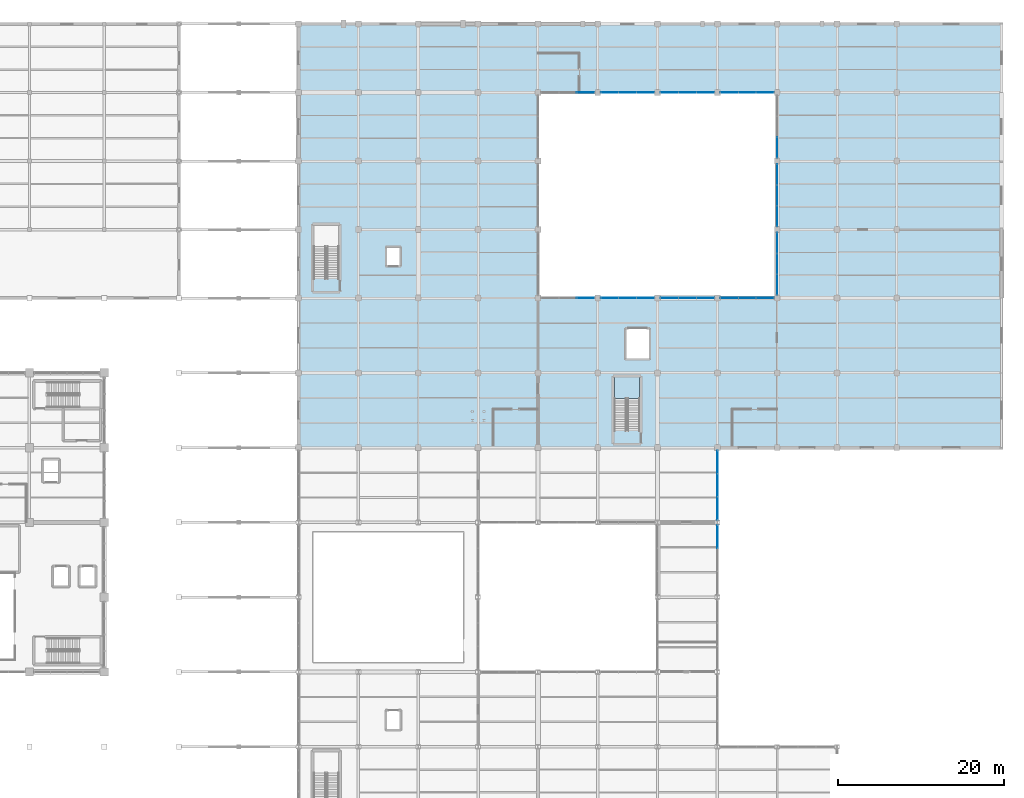
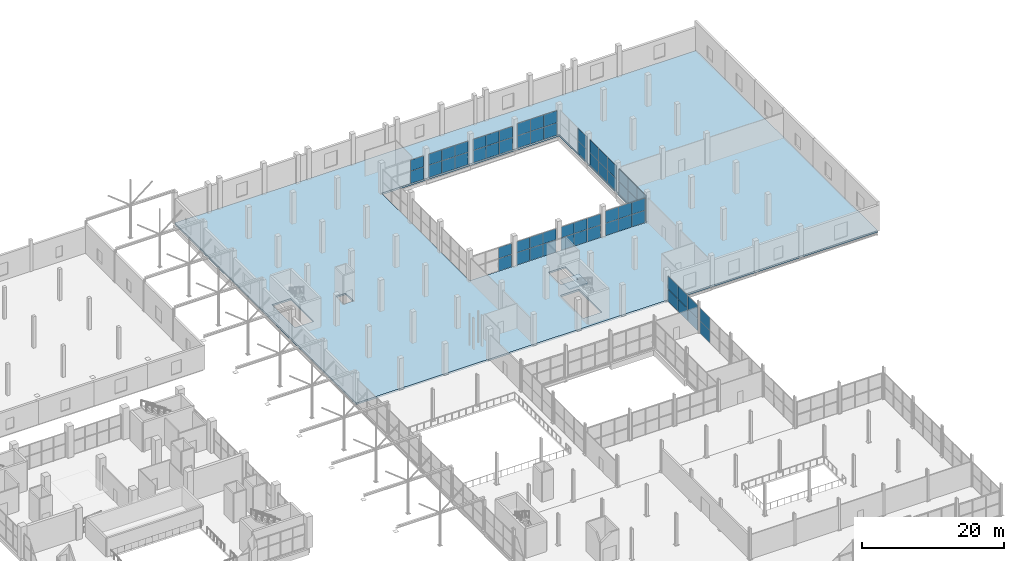
# One storey, part 119 of 147: 62 plates, 2 slabs, 14 elements without a shape of their own.
"""IFC4 building model written with IfcOpenShell, lengths in metres."""

from ifc_helpers import new_model, si_unit, direction, frame, origin, origin_2d, place, context, subcontext, project, spatial, polyline, rectangle, outline, extrude, material, layer, layer_set, type_object, element, aggregate, save


model = new_model("IFC4")

# Units and contexts
model_context = context("Model", 3, precision=1e-05, world=origin(), true_north=direction((0.0, 1.0)))
body_context = subcontext(model_context, "Body", "Model", "MODEL_VIEW")
ifc_project = project(units=[si_unit("LENGTHUNIT", "METRE"), si_unit("AREAUNIT", "SQUARE_METRE"), si_unit("VOLUMEUNIT", "CUBIC_METRE"), si_unit("PLANEANGLEUNIT", "RADIAN"), si_unit("MASSUNIT", "GRAM", prefix="KILO")], contexts=[model_context])

# Site, building, storey
site_placement = place(None, origin())
site = spatial("IfcSite", under=ifc_project, at=site_placement, CompositionType="ELEMENT")
building_placement = place(site_placement, origin())
building = spatial("IfcBuilding", under=site, at=building_placement, Name="Sundgate Opera House", CompositionType="ELEMENT")
storey_placement = place(building_placement, frame((0.0, 0.0, 6.0)))
storey = spatial("IfcBuildingStorey", under=building, at=storey_placement, Name="L01", CompositionType="ELEMENT", Elevation=6.0)

# Curtain wall, plates
ifc_material_1 = material(Name="Anodized aluminium and low-iron glass", Category="aluminium")
ifc_layer_1 = layer(ifc_material_1, 0.159912109375)
ifc_layer_set_1 = layer_set([ifc_layer_1], Name="Anodized aluminium and low-iron glass")
curtain_wall_type = type_object("IfcCurtainWallType", Name="CW-STUDIO-DARK", PredefinedType="NOTDEFINED", material=ifc_layer_set_1)
curtain_wall_1_placement = place(storey_placement, origin())
curtain_wall_1 = element("IfcCurtainWall", 1, at=curtain_wall_1_placement, inside=storey, type_object=curtain_wall_type, Name="L01 Curtain Wall CW094", PredefinedType="NOTDEFINED")
ifc_material_2 = material(Name="Low-iron triple acoustic glazing", Category="glass")
ifc_layer_2 = layer(ifc_material_2, 0.035888671875)
ifc_layer_set_2 = layer_set([ifc_layer_2], Name="Low-iron triple acoustic glazing")
plate_type_1 = type_object("IfcPlateType", Name="CWP-CLEAR-36", PredefinedType="CURTAIN_PANEL", material=ifc_layer_set_2)
plate_1_placement = place(storey_placement, frame((129.949951171875, 87.0, 0.02001953125), z_axis=(0.0, 0.0, 1.0), x_axis=(1.0, 0.0, 0.0)))
plate_1 = element("IfcPlate", 2, at=plate_1_placement, type_object=plate_type_1, Name="CW094 Panel 5", PredefinedType="CURTAIN_PANEL", context=body_context, shape_type="SweptSolid", body=[
    extrude(rectangle(XDim=2.110107421875, YDim=0.035888671875, at=origin_2d()), origin(), (0.0, 0.0, 1.0), 2.110107421875),
])
plate_2_placement = place(storey_placement, frame((129.949951171875, 87.0, 2.169921875), z_axis=(0.0, 0.0, 1.0), x_axis=(1.0, 0.0, 0.0)))
plate_2 = element("IfcPlate", 3, at=plate_2_placement, type_object=plate_type_1, Name="CW094 Panel 6", PredefinedType="CURTAIN_PANEL", context=body_context, shape_type="SweptSolid", body=[
    extrude(rectangle(XDim=2.110107421875, YDim=0.035888671875, at=origin_2d()), origin(), (0.0, 0.0, 1.0), 1.875),
])
aggregate(curtain_wall_1, [plate_1, plate_2])

curtain_wall_2_placement = place(storey_placement, origin())
curtain_wall_2 = element("IfcCurtainWall", 4, at=curtain_wall_2_placement, inside=storey, type_object=curtain_wall_type, Name="L01 Curtain Wall CW095", PredefinedType="NOTDEFINED")
plate_3_placement = place(storey_placement, frame((129.949951171875, 111.75, 0.02001953125), z_axis=(0.0, 0.0, 1.0), x_axis=(-1.0, 0.0, 0.0)))
plate_3 = element("IfcPlate", 5, at=plate_3_placement, type_object=plate_type_1, Name="CW095 Panel 1", PredefinedType="CURTAIN_PANEL", context=body_context, shape_type="SweptSolid", body=[
    extrude(rectangle(XDim=2.110107421875, YDim=0.035888671875, at=origin_2d()), origin(), (0.0, 0.0, 1.0), 2.110107421875),
])
plate_4_placement = place(storey_placement, frame((129.949951171875, 111.75, 2.169921875), z_axis=(0.0, 0.0, 1.0), x_axis=(-1.0, 0.0, 0.0)))
plate_4 = element("IfcPlate", 6, at=plate_4_placement, type_object=plate_type_1, Name="CW095 Panel 2", PredefinedType="CURTAIN_PANEL", context=body_context, shape_type="SweptSolid", body=[
    extrude(rectangle(XDim=2.110107421875, YDim=0.035888671875, at=origin_2d()), origin(), (0.0, 0.0, 1.0), 1.875),
])
aggregate(curtain_wall_2, [plate_3, plate_4])

curtain_wall_3_placement = place(storey_placement, origin())
curtain_wall_3 = element("IfcCurtainWall", 7, at=curtain_wall_3_placement, inside=storey, type_object=curtain_wall_type, Name="L01 Curtain Wall CW096", PredefinedType="NOTDEFINED")
plate_5_placement = place(storey_placement, frame((132.85009765625, 87.0, 0.02001953125), z_axis=(0.0, 0.0, 1.0), x_axis=(1.0, 0.0, 0.0)))
plate_5 = element("IfcPlate", 8, at=plate_5_placement, type_object=plate_type_1, Name="CW096 Panel 1", PredefinedType="CURTAIN_PANEL", context=body_context, shape_type="SweptSolid", body=[
    extrude(rectangle(XDim=2.110107421875, YDim=0.035888671875, at=origin_2d()), origin(), (0.0, 0.0, 1.0), 2.110107421875),
])
plate_6_placement = place(storey_placement, frame((132.85009765625, 87.0, 2.169921875), z_axis=(0.0, 0.0, 1.0), x_axis=(1.0, 0.0, 0.0)))
plate_6 = element("IfcPlate", 9, at=plate_6_placement, type_object=plate_type_1, Name="CW096 Panel 2", PredefinedType="CURTAIN_PANEL", context=body_context, shape_type="SweptSolid", body=[
    extrude(rectangle(XDim=2.110107421875, YDim=0.035888671875, at=origin_2d()), origin(), (0.0, 0.0, 1.0), 1.875),
])
plate_7_placement = place(storey_placement, frame((135.0, 87.0, 0.02001953125), z_axis=(0.0, 0.0, 1.0), x_axis=(1.0, 0.0, 0.0)))
plate_7 = element("IfcPlate", 10, at=plate_7_placement, type_object=plate_type_1, Name="CW096 Panel 3", PredefinedType="CURTAIN_PANEL", context=body_context, shape_type="SweptSolid", body=[
    extrude(rectangle(XDim=2.110107421875, YDim=0.035888671875, at=origin_2d()), origin(), (0.0, 0.0, 1.0), 2.110107421875),
])
plate_8_placement = place(storey_placement, frame((135.0, 87.0, 2.169921875), z_axis=(0.0, 0.0, 1.0), x_axis=(1.0, 0.0, 0.0)))
plate_8 = element("IfcPlate", 11, at=plate_8_placement, type_object=plate_type_1, Name="CW096 Panel 4", PredefinedType="CURTAIN_PANEL", context=body_context, shape_type="SweptSolid", body=[
    extrude(rectangle(XDim=2.110107421875, YDim=0.035888671875, at=origin_2d()), origin(), (0.0, 0.0, 1.0), 1.875),
])
plate_9_placement = place(storey_placement, frame((137.14990234375, 87.0, 0.02001953125), z_axis=(0.0, 0.0, 1.0), x_axis=(1.0, 0.0, 0.0)))
plate_9 = element("IfcPlate", 12, at=plate_9_placement, type_object=plate_type_1, Name="CW096 Panel 5", PredefinedType="CURTAIN_PANEL", context=body_context, shape_type="SweptSolid", body=[
    extrude(rectangle(XDim=2.110107421875, YDim=0.035888671875, at=origin_2d()), origin(), (0.0, 0.0, 1.0), 2.110107421875),
])
plate_10_placement = place(storey_placement, frame((137.14990234375, 87.0, 2.169921875), z_axis=(0.0, 0.0, 1.0), x_axis=(1.0, 0.0, 0.0)))
plate_10 = element("IfcPlate", 13, at=plate_10_placement, type_object=plate_type_1, Name="CW096 Panel 6", PredefinedType="CURTAIN_PANEL", context=body_context, shape_type="SweptSolid", body=[
    extrude(rectangle(XDim=2.110107421875, YDim=0.035888671875, at=origin_2d()), origin(), (0.0, 0.0, 1.0), 1.875),
])
aggregate(curtain_wall_3, [plate_5, plate_6, plate_7, plate_8, plate_9, plate_10])

curtain_wall_4_placement = place(storey_placement, origin())
curtain_wall_4 = element("IfcCurtainWall", 14, at=curtain_wall_4_placement, inside=storey, type_object=curtain_wall_type, Name="L01 Curtain Wall CW097", PredefinedType="NOTDEFINED")
plate_11_placement = place(storey_placement, frame((137.14990234375, 111.75, 0.02001953125), z_axis=(0.0, 0.0, 1.0), x_axis=(-1.0, 0.0, 0.0)))
plate_11 = element("IfcPlate", 15, at=plate_11_placement, type_object=plate_type_1, Name="CW097 Panel 1", PredefinedType="CURTAIN_PANEL", context=body_context, shape_type="SweptSolid", body=[
    extrude(rectangle(XDim=2.110107421875, YDim=0.035888671875, at=origin_2d()), origin(), (0.0, 0.0, 1.0), 2.110107421875),
])
plate_12_placement = place(storey_placement, frame((137.14990234375, 111.75, 2.169921875), z_axis=(0.0, 0.0, 1.0), x_axis=(-1.0, 0.0, 0.0)))
plate_12 = element("IfcPlate", 16, at=plate_12_placement, type_object=plate_type_1, Name="CW097 Panel 2", PredefinedType="CURTAIN_PANEL", context=body_context, shape_type="SweptSolid", body=[
    extrude(rectangle(XDim=2.110107421875, YDim=0.035888671875, at=origin_2d()), origin(), (0.0, 0.0, 1.0), 1.875),
])
plate_13_placement = place(storey_placement, frame((135.0, 111.75, 0.02001953125), z_axis=(0.0, 0.0, 1.0), x_axis=(-1.0, 0.0, 0.0)))
plate_13 = element("IfcPlate", 17, at=plate_13_placement, type_object=plate_type_1, Name="CW097 Panel 3", PredefinedType="CURTAIN_PANEL", context=body_context, shape_type="SweptSolid", body=[
    extrude(rectangle(XDim=2.110107421875, YDim=0.035888671875, at=origin_2d()), origin(), (0.0, 0.0, 1.0), 2.110107421875),
])
plate_14_placement = place(storey_placement, frame((135.0, 111.75, 2.169921875), z_axis=(0.0, 0.0, 1.0), x_axis=(-1.0, 0.0, 0.0)))
plate_14 = element("IfcPlate", 18, at=plate_14_placement, type_object=plate_type_1, Name="CW097 Panel 4", PredefinedType="CURTAIN_PANEL", context=body_context, shape_type="SweptSolid", body=[
    extrude(rectangle(XDim=2.110107421875, YDim=0.035888671875, at=origin_2d()), origin(), (0.0, 0.0, 1.0), 1.875),
])
plate_15_placement = place(storey_placement, frame((132.85009765625, 111.75, 0.02001953125), z_axis=(0.0, 0.0, 1.0), x_axis=(-1.0, 0.0, 0.0)))
plate_15 = element("IfcPlate", 19, at=plate_15_placement, type_object=plate_type_1, Name="CW097 Panel 5", PredefinedType="CURTAIN_PANEL", context=body_context, shape_type="SweptSolid", body=[
    extrude(rectangle(XDim=2.110107421875, YDim=0.035888671875, at=origin_2d()), origin(), (0.0, 0.0, 1.0), 2.110107421875),
])
plate_16_placement = place(storey_placement, frame((132.85009765625, 111.75, 2.169921875), z_axis=(0.0, 0.0, 1.0), x_axis=(-1.0, 0.0, 0.0)))
plate_16 = element("IfcPlate", 20, at=plate_16_placement, type_object=plate_type_1, Name="CW097 Panel 6", PredefinedType="CURTAIN_PANEL", context=body_context, shape_type="SweptSolid", body=[
    extrude(rectangle(XDim=2.110107421875, YDim=0.035888671875, at=origin_2d()), origin(), (0.0, 0.0, 1.0), 1.875),
])
aggregate(curtain_wall_4, [plate_11, plate_12, plate_13, plate_14, plate_15, plate_16])

curtain_wall_5_placement = place(storey_placement, origin())
curtain_wall_5 = element("IfcCurtainWall", 21, at=curtain_wall_5_placement, inside=storey, type_object=curtain_wall_type, Name="L01 Curtain Wall CW098", PredefinedType="NOTDEFINED")
plate_17_placement = place(storey_placement, frame((140.050048828125, 87.0, 0.02001953125), z_axis=(0.0, 0.0, 1.0), x_axis=(1.0, 0.0, 0.0)))
plate_17 = element("IfcPlate", 22, at=plate_17_placement, type_object=plate_type_1, Name="CW098 Panel 1", PredefinedType="CURTAIN_PANEL", context=body_context, shape_type="SweptSolid", body=[
    extrude(rectangle(XDim=2.110107421875, YDim=0.035888671875, at=origin_2d()), origin(), (0.0, 0.0, 1.0), 2.110107421875),
])
plate_18_placement = place(storey_placement, frame((140.050048828125, 87.0, 2.169921875), z_axis=(0.0, 0.0, 1.0), x_axis=(1.0, 0.0, 0.0)))
plate_18 = element("IfcPlate", 23, at=plate_18_placement, type_object=plate_type_1, Name="CW098 Panel 2", PredefinedType="CURTAIN_PANEL", context=body_context, shape_type="SweptSolid", body=[
    extrude(rectangle(XDim=2.110107421875, YDim=0.035888671875, at=origin_2d()), origin(), (0.0, 0.0, 1.0), 1.875),
])
plate_19_placement = place(storey_placement, frame((142.199951171875, 87.0, 0.02001953125), z_axis=(0.0, 0.0, 1.0), x_axis=(1.0, 0.0, 0.0)))
plate_19 = element("IfcPlate", 24, at=plate_19_placement, type_object=plate_type_1, Name="CW098 Panel 3", PredefinedType="CURTAIN_PANEL", context=body_context, shape_type="SweptSolid", body=[
    extrude(rectangle(XDim=2.110107421875, YDim=0.035888671875, at=origin_2d()), origin(), (0.0, 0.0, 1.0), 2.110107421875),
])
plate_20_placement = place(storey_placement, frame((142.199951171875, 87.0, 2.169921875), z_axis=(0.0, 0.0, 1.0), x_axis=(1.0, 0.0, 0.0)))
plate_20 = element("IfcPlate", 25, at=plate_20_placement, type_object=plate_type_1, Name="CW098 Panel 4", PredefinedType="CURTAIN_PANEL", context=body_context, shape_type="SweptSolid", body=[
    extrude(rectangle(XDim=2.110107421875, YDim=0.035888671875, at=origin_2d()), origin(), (0.0, 0.0, 1.0), 1.875),
])
plate_21_placement = place(storey_placement, frame((144.35009765625, 87.0, 0.02001953125), z_axis=(0.0, 0.0, 1.0), x_axis=(1.0, 0.0, 0.0)))
plate_21 = element("IfcPlate", 26, at=plate_21_placement, type_object=plate_type_1, Name="CW098 Panel 5", PredefinedType="CURTAIN_PANEL", context=body_context, shape_type="SweptSolid", body=[
    extrude(rectangle(XDim=2.110107421875, YDim=0.035888671875, at=origin_2d()), origin(), (0.0, 0.0, 1.0), 2.110107421875),
])
plate_22_placement = place(storey_placement, frame((144.35009765625, 87.0, 2.169921875), z_axis=(0.0, 0.0, 1.0), x_axis=(1.0, 0.0, 0.0)))
plate_22 = element("IfcPlate", 27, at=plate_22_placement, type_object=plate_type_1, Name="CW098 Panel 6", PredefinedType="CURTAIN_PANEL", context=body_context, shape_type="SweptSolid", body=[
    extrude(rectangle(XDim=2.110107421875, YDim=0.035888671875, at=origin_2d()), origin(), (0.0, 0.0, 1.0), 1.875),
])
aggregate(curtain_wall_5, [plate_17, plate_18, plate_19, plate_20, plate_21, plate_22])

curtain_wall_6_placement = place(storey_placement, origin())
curtain_wall_6 = element("IfcCurtainWall", 28, at=curtain_wall_6_placement, inside=storey, type_object=curtain_wall_type, Name="L01 Curtain Wall CW099", PredefinedType="NOTDEFINED")
plate_23_placement = place(storey_placement, frame((144.35009765625, 111.75, 0.02001953125), z_axis=(0.0, 0.0, 1.0), x_axis=(-1.0, 0.0, 0.0)))
plate_23 = element("IfcPlate", 29, at=plate_23_placement, type_object=plate_type_1, Name="CW099 Panel 1", PredefinedType="CURTAIN_PANEL", context=body_context, shape_type="SweptSolid", body=[
    extrude(rectangle(XDim=2.110107421875, YDim=0.035888671875, at=origin_2d()), origin(), (0.0, 0.0, 1.0), 2.110107421875),
])
plate_24_placement = place(storey_placement, frame((144.35009765625, 111.75, 2.169921875), z_axis=(0.0, 0.0, 1.0), x_axis=(-1.0, 0.0, 0.0)))
plate_24 = element("IfcPlate", 30, at=plate_24_placement, type_object=plate_type_1, Name="CW099 Panel 2", PredefinedType="CURTAIN_PANEL", context=body_context, shape_type="SweptSolid", body=[
    extrude(rectangle(XDim=2.110107421875, YDim=0.035888671875, at=origin_2d()), origin(), (0.0, 0.0, 1.0), 1.875),
])
plate_25_placement = place(storey_placement, frame((142.199951171875, 111.75, 0.02001953125), z_axis=(0.0, 0.0, 1.0), x_axis=(-1.0, 0.0, 0.0)))
plate_25 = element("IfcPlate", 31, at=plate_25_placement, type_object=plate_type_1, Name="CW099 Panel 3", PredefinedType="CURTAIN_PANEL", context=body_context, shape_type="SweptSolid", body=[
    extrude(rectangle(XDim=2.110107421875, YDim=0.035888671875, at=origin_2d()), origin(), (0.0, 0.0, 1.0), 2.110107421875),
])
plate_26_placement = place(storey_placement, frame((142.199951171875, 111.75, 2.169921875), z_axis=(0.0, 0.0, 1.0), x_axis=(-1.0, 0.0, 0.0)))
plate_26 = element("IfcPlate", 32, at=plate_26_placement, type_object=plate_type_1, Name="CW099 Panel 4", PredefinedType="CURTAIN_PANEL", context=body_context, shape_type="SweptSolid", body=[
    extrude(rectangle(XDim=2.110107421875, YDim=0.035888671875, at=origin_2d()), origin(), (0.0, 0.0, 1.0), 1.875),
])
plate_27_placement = place(storey_placement, frame((140.050048828125, 111.75, 0.02001953125), z_axis=(0.0, 0.0, 1.0), x_axis=(-1.0, 0.0, 0.0)))
plate_27 = element("IfcPlate", 33, at=plate_27_placement, type_object=plate_type_1, Name="CW099 Panel 5", PredefinedType="CURTAIN_PANEL", context=body_context, shape_type="SweptSolid", body=[
    extrude(rectangle(XDim=2.110107421875, YDim=0.035888671875, at=origin_2d()), origin(), (0.0, 0.0, 1.0), 2.110107421875),
])
plate_28_placement = place(storey_placement, frame((140.050048828125, 111.75, 2.169921875), z_axis=(0.0, 0.0, 1.0), x_axis=(-1.0, 0.0, 0.0)))
plate_28 = element("IfcPlate", 34, at=plate_28_placement, type_object=plate_type_1, Name="CW099 Panel 6", PredefinedType="CURTAIN_PANEL", context=body_context, shape_type="SweptSolid", body=[
    extrude(rectangle(XDim=2.110107421875, YDim=0.035888671875, at=origin_2d()), origin(), (0.0, 0.0, 1.0), 1.875),
])
aggregate(curtain_wall_6, [plate_23, plate_24, plate_25, plate_26, plate_27, plate_28])

curtain_wall_7_placement = place(storey_placement, origin())
curtain_wall_7 = element("IfcCurtainWall", 35, at=curtain_wall_7_placement, inside=storey, type_object=curtain_wall_type, Name="L01 Curtain Wall CW100", PredefinedType="NOTDEFINED")
plate_29_placement = place(storey_placement, frame((147.25, 87.0, 0.02001953125), z_axis=(0.0, 0.0, 1.0), x_axis=(1.0, 0.0, 0.0)))
plate_29 = element("IfcPlate", 36, at=plate_29_placement, type_object=plate_type_1, Name="CW100 Panel 1", PredefinedType="CURTAIN_PANEL", context=body_context, shape_type="SweptSolid", body=[
    extrude(rectangle(XDim=2.110107421875, YDim=0.035888671875, at=origin_2d()), origin(), (0.0, 0.0, 1.0), 2.110107421875),
])
plate_30_placement = place(storey_placement, frame((147.25, 87.0, 2.169921875), z_axis=(0.0, 0.0, 1.0), x_axis=(1.0, 0.0, 0.0)))
plate_30 = element("IfcPlate", 37, at=plate_30_placement, type_object=plate_type_1, Name="CW100 Panel 2", PredefinedType="CURTAIN_PANEL", context=body_context, shape_type="SweptSolid", body=[
    extrude(rectangle(XDim=2.110107421875, YDim=0.035888671875, at=origin_2d()), origin(), (0.0, 0.0, 1.0), 2.074951171875),
])
plate_31_placement = place(storey_placement, frame((149.39990234375, 87.0, 0.02001953125), z_axis=(0.0, 0.0, 1.0), x_axis=(1.0, 0.0, 0.0)))
plate_31 = element("IfcPlate", 38, at=plate_31_placement, type_object=plate_type_1, Name="CW100 Panel 3", PredefinedType="CURTAIN_PANEL", context=body_context, shape_type="SweptSolid", body=[
    extrude(rectangle(XDim=2.110107421875, YDim=0.035888671875, at=origin_2d()), origin(), (0.0, 0.0, 1.0), 2.110107421875),
])
plate_32_placement = place(storey_placement, frame((149.39990234375, 87.0, 2.169921875), z_axis=(0.0, 0.0, 1.0), x_axis=(1.0, 0.0, 0.0)))
plate_32 = element("IfcPlate", 39, at=plate_32_placement, type_object=plate_type_1, Name="CW100 Panel 4", PredefinedType="CURTAIN_PANEL", context=body_context, shape_type="SweptSolid", body=[
    extrude(rectangle(XDim=2.110107421875, YDim=0.035888671875, at=origin_2d()), origin(), (0.0, 0.0, 1.0), 2.074951171875),
])
plate_33_placement = place(storey_placement, frame((151.550048828125, 87.0, 0.02001953125), z_axis=(0.0, 0.0, 1.0), x_axis=(1.0, 0.0, 0.0)))
plate_33 = element("IfcPlate", 40, at=plate_33_placement, type_object=plate_type_1, Name="CW100 Panel 5", PredefinedType="CURTAIN_PANEL", context=body_context, shape_type="SweptSolid", body=[
    extrude(rectangle(XDim=2.110107421875, YDim=0.035888671875, at=origin_2d()), origin(), (0.0, 0.0, 1.0), 2.110107421875),
])
plate_34_placement = place(storey_placement, frame((151.550048828125, 87.0, 2.169921875), z_axis=(0.0, 0.0, 1.0), x_axis=(1.0, 0.0, 0.0)))
plate_34 = element("IfcPlate", 41, at=plate_34_placement, type_object=plate_type_1, Name="CW100 Panel 6", PredefinedType="CURTAIN_PANEL", context=body_context, shape_type="SweptSolid", body=[
    extrude(rectangle(XDim=2.110107421875, YDim=0.035888671875, at=origin_2d()), origin(), (0.0, 0.0, 1.0), 2.074951171875),
])
aggregate(curtain_wall_7, [plate_29, plate_30, plate_31, plate_32, plate_33, plate_34])

curtain_wall_8_placement = place(storey_placement, origin())
curtain_wall_8 = element("IfcCurtainWall", 42, at=curtain_wall_8_placement, inside=storey, type_object=curtain_wall_type, Name="L01 Curtain Wall CW101", PredefinedType="NOTDEFINED")
plate_35_placement = place(storey_placement, frame((151.550048828125, 111.75, 0.02001953125), z_axis=(0.0, 0.0, 1.0), x_axis=(-1.0, 0.0, 0.0)))
plate_35 = element("IfcPlate", 43, at=plate_35_placement, type_object=plate_type_1, Name="CW101 Panel 1", PredefinedType="CURTAIN_PANEL", context=body_context, shape_type="SweptSolid", body=[
    extrude(rectangle(XDim=2.110107421875, YDim=0.035888671875, at=origin_2d()), origin(), (0.0, 0.0, 1.0), 2.110107421875),
])
plate_36_placement = place(storey_placement, frame((151.550048828125, 111.75, 2.169921875), z_axis=(0.0, 0.0, 1.0), x_axis=(-1.0, 0.0, 0.0)))
plate_36 = element("IfcPlate", 44, at=plate_36_placement, type_object=plate_type_1, Name="CW101 Panel 2", PredefinedType="CURTAIN_PANEL", context=body_context, shape_type="SweptSolid", body=[
    extrude(rectangle(XDim=2.110107421875, YDim=0.035888671875, at=origin_2d()), origin(), (0.0, 0.0, 1.0), 2.074951171875),
])
plate_37_placement = place(storey_placement, frame((149.39990234375, 111.75, 0.02001953125), z_axis=(0.0, 0.0, 1.0), x_axis=(-1.0, 0.0, 0.0)))
plate_37 = element("IfcPlate", 45, at=plate_37_placement, type_object=plate_type_1, Name="CW101 Panel 3", PredefinedType="CURTAIN_PANEL", context=body_context, shape_type="SweptSolid", body=[
    extrude(rectangle(XDim=2.110107421875, YDim=0.035888671875, at=origin_2d()), origin(), (0.0, 0.0, 1.0), 2.110107421875),
])
plate_38_placement = place(storey_placement, frame((149.39990234375, 111.75, 2.169921875), z_axis=(0.0, 0.0, 1.0), x_axis=(-1.0, 0.0, 0.0)))
plate_38 = element("IfcPlate", 46, at=plate_38_placement, type_object=plate_type_1, Name="CW101 Panel 4", PredefinedType="CURTAIN_PANEL", context=body_context, shape_type="SweptSolid", body=[
    extrude(rectangle(XDim=2.110107421875, YDim=0.035888671875, at=origin_2d()), origin(), (0.0, 0.0, 1.0), 2.074951171875),
])
plate_39_placement = place(storey_placement, frame((147.25, 111.75, 0.02001953125), z_axis=(0.0, 0.0, 1.0), x_axis=(-1.0, 0.0, 0.0)))
plate_39 = element("IfcPlate", 47, at=plate_39_placement, type_object=plate_type_1, Name="CW101 Panel 5", PredefinedType="CURTAIN_PANEL", context=body_context, shape_type="SweptSolid", body=[
    extrude(rectangle(XDim=2.110107421875, YDim=0.035888671875, at=origin_2d()), origin(), (0.0, 0.0, 1.0), 2.110107421875),
])
plate_40_placement = place(storey_placement, frame((147.25, 111.75, 2.169921875), z_axis=(0.0, 0.0, 1.0), x_axis=(-1.0, 0.0, 0.0)))
plate_40 = element("IfcPlate", 48, at=plate_40_placement, type_object=plate_type_1, Name="CW101 Panel 6", PredefinedType="CURTAIN_PANEL", context=body_context, shape_type="SweptSolid", body=[
    extrude(rectangle(XDim=2.110107421875, YDim=0.035888671875, at=origin_2d()), origin(), (0.0, 0.0, 1.0), 2.074951171875),
])
aggregate(curtain_wall_8, [plate_35, plate_36, plate_37, plate_38, plate_39, plate_40])

curtain_wall_9_placement = place(storey_placement, origin())
curtain_wall_9 = element("IfcCurtainWall", 49, at=curtain_wall_9_placement, inside=storey, type_object=curtain_wall_type, Name="L01 Curtain Wall CW103", PredefinedType="NOTDEFINED")
plate_41_placement = place(storey_placement, frame((153.0, 93.625, 0.02001953125), z_axis=(0.0, 0.0, 1.0), x_axis=(0.0, -1.0, 0.0)))
plate_41 = element("IfcPlate", 50, at=plate_41_placement, type_object=plate_type_1, Name="CW103 Panel 1", PredefinedType="CURTAIN_PANEL", context=body_context, shape_type="SweptSolid", body=[
    extrude(rectangle(XDim=2.4599609375, YDim=0.035888671875, at=origin_2d()), origin(), (0.0, 0.0, 1.0), 2.110107421875),
])
plate_42_placement = place(storey_placement, frame((153.0, 93.625, 2.169921875), z_axis=(0.0, 0.0, 1.0), x_axis=(0.0, -1.0, 0.0)))
plate_42 = element("IfcPlate", 51, at=plate_42_placement, type_object=plate_type_1, Name="CW103 Panel 2", PredefinedType="CURTAIN_PANEL", context=body_context, shape_type="SweptSolid", body=[
    extrude(rectangle(XDim=2.4599609375, YDim=0.035888671875, at=origin_2d()), origin(), (0.0, 0.0, 1.0), 2.175048828125),
])
plate_43_placement = place(storey_placement, frame((153.0, 91.125, 0.02001953125), z_axis=(0.0, 0.0, 1.0), x_axis=(0.0, -1.0, 0.0)))
plate_43 = element("IfcPlate", 52, at=plate_43_placement, type_object=plate_type_1, Name="CW103 Panel 3", PredefinedType="CURTAIN_PANEL", context=body_context, shape_type="SweptSolid", body=[
    extrude(rectangle(XDim=2.4599609375, YDim=0.035888671875, at=origin_2d()), origin(), (0.0, 0.0, 1.0), 2.110107421875),
])
plate_44_placement = place(storey_placement, frame((153.0, 91.125, 2.169921875), z_axis=(0.0, 0.0, 1.0), x_axis=(0.0, -1.0, 0.0)))
plate_44 = element("IfcPlate", 53, at=plate_44_placement, type_object=plate_type_1, Name="CW103 Panel 4", PredefinedType="CURTAIN_PANEL", context=body_context, shape_type="SweptSolid", body=[
    extrude(rectangle(XDim=2.4599609375, YDim=0.035888671875, at=origin_2d()), origin(), (0.0, 0.0, 1.0), 2.175048828125),
])
plate_45_placement = place(storey_placement, frame((153.0, 88.625, 0.02001953125), z_axis=(0.0, 0.0, 1.0), x_axis=(0.0, -1.0, 0.0)))
plate_45 = element("IfcPlate", 54, at=plate_45_placement, type_object=plate_type_1, Name="CW103 Panel 5", PredefinedType="CURTAIN_PANEL", context=body_context, shape_type="SweptSolid", body=[
    extrude(rectangle(XDim=2.4599609375, YDim=0.035888671875, at=origin_2d()), origin(), (0.0, 0.0, 1.0), 2.110107421875),
])
plate_46_placement = place(storey_placement, frame((153.0, 88.625, 2.169921875), z_axis=(0.0, 0.0, 1.0), x_axis=(0.0, -1.0, 0.0)))
plate_46 = element("IfcPlate", 55, at=plate_46_placement, type_object=plate_type_1, Name="CW103 Panel 6", PredefinedType="CURTAIN_PANEL", context=body_context, shape_type="SweptSolid", body=[
    extrude(rectangle(XDim=2.4599609375, YDim=0.035888671875, at=origin_2d()), origin(), (0.0, 0.0, 1.0), 2.175048828125),
])
aggregate(curtain_wall_9, [plate_41, plate_42, plate_43, plate_44, plate_45, plate_46])

curtain_wall_10_placement = place(storey_placement, origin())
curtain_wall_10 = element("IfcCurtainWall", 56, at=curtain_wall_10_placement, inside=storey, type_object=curtain_wall_type, Name="L01 Curtain Wall CW105", PredefinedType="NOTDEFINED")
plate_47_placement = place(storey_placement, frame((153.0, 101.875, 0.02001953125), z_axis=(0.0, 0.0, 1.0), x_axis=(0.0, -1.0, 0.0)))
plate_47 = element("IfcPlate", 57, at=plate_47_placement, type_object=plate_type_1, Name="CW105 Panel 1", PredefinedType="CURTAIN_PANEL", context=body_context, shape_type="SweptSolid", body=[
    extrude(rectangle(XDim=2.4599609375, YDim=0.035888671875, at=origin_2d()), origin(), (0.0, 0.0, 1.0), 2.110107421875),
])
plate_48_placement = place(storey_placement, frame((153.0, 101.875, 2.169921875), z_axis=(0.0, 0.0, 1.0), x_axis=(0.0, -1.0, 0.0)))
plate_48 = element("IfcPlate", 58, at=plate_48_placement, type_object=plate_type_1, Name="CW105 Panel 2", PredefinedType="CURTAIN_PANEL", context=body_context, shape_type="SweptSolid", body=[
    extrude(rectangle(XDim=2.4599609375, YDim=0.035888671875, at=origin_2d()), origin(), (0.0, 0.0, 1.0), 2.22509765625),
])
plate_49_placement = place(storey_placement, frame((153.0, 99.375, 0.02001953125), z_axis=(0.0, 0.0, 1.0), x_axis=(0.0, -1.0, 0.0)))
plate_49 = element("IfcPlate", 59, at=plate_49_placement, type_object=plate_type_1, Name="CW105 Panel 3", PredefinedType="CURTAIN_PANEL", context=body_context, shape_type="SweptSolid", body=[
    extrude(rectangle(XDim=2.4599609375, YDim=0.035888671875, at=origin_2d()), origin(), (0.0, 0.0, 1.0), 2.110107421875),
])
plate_50_placement = place(storey_placement, frame((153.0, 99.375, 2.169921875), z_axis=(0.0, 0.0, 1.0), x_axis=(0.0, -1.0, 0.0)))
plate_50 = element("IfcPlate", 60, at=plate_50_placement, type_object=plate_type_1, Name="CW105 Panel 4", PredefinedType="CURTAIN_PANEL", context=body_context, shape_type="SweptSolid", body=[
    extrude(rectangle(XDim=2.4599609375, YDim=0.035888671875, at=origin_2d()), origin(), (0.0, 0.0, 1.0), 2.22509765625),
])
plate_51_placement = place(storey_placement, frame((153.0, 96.875, 0.02001953125), z_axis=(0.0, 0.0, 1.0), x_axis=(0.0, -1.0, 0.0)))
plate_51 = element("IfcPlate", 61, at=plate_51_placement, type_object=plate_type_1, Name="CW105 Panel 5", PredefinedType="CURTAIN_PANEL", context=body_context, shape_type="SweptSolid", body=[
    extrude(rectangle(XDim=2.4599609375, YDim=0.035888671875, at=origin_2d()), origin(), (0.0, 0.0, 1.0), 2.110107421875),
])
plate_52_placement = place(storey_placement, frame((153.0, 96.875, 2.169921875), z_axis=(0.0, 0.0, 1.0), x_axis=(0.0, -1.0, 0.0)))
plate_52 = element("IfcPlate", 62, at=plate_52_placement, type_object=plate_type_1, Name="CW105 Panel 6", PredefinedType="CURTAIN_PANEL", context=body_context, shape_type="SweptSolid", body=[
    extrude(rectangle(XDim=2.4599609375, YDim=0.035888671875, at=origin_2d()), origin(), (0.0, 0.0, 1.0), 2.22509765625),
])
aggregate(curtain_wall_10, [plate_47, plate_48, plate_49, plate_50, plate_51, plate_52])

curtain_wall_11_placement = place(storey_placement, origin())
curtain_wall_11 = element("IfcCurtainWall", 63, at=curtain_wall_11_placement, inside=storey, type_object=curtain_wall_type, Name="L01 Curtain Wall CW107", PredefinedType="NOTDEFINED")
plate_53_placement = place(storey_placement, frame((153.0, 105.125, 0.02001953125), z_axis=(0.0, 0.0, 1.0), x_axis=(0.0, -1.0, 0.0)))
plate_53 = element("IfcPlate", 64, at=plate_53_placement, type_object=plate_type_1, Name="CW107 Panel 5", PredefinedType="CURTAIN_PANEL", context=body_context, shape_type="SweptSolid", body=[
    extrude(rectangle(XDim=2.4599609375, YDim=0.035888671875, at=origin_2d()), origin(), (0.0, 0.0, 1.0), 2.110107421875),
])
plate_54_placement = place(storey_placement, frame((153.0, 105.125, 2.169921875), z_axis=(0.0, 0.0, 1.0), x_axis=(0.0, -1.0, 0.0)))
plate_54 = element("IfcPlate", 65, at=plate_54_placement, type_object=plate_type_1, Name="CW107 Panel 6", PredefinedType="CURTAIN_PANEL", context=body_context, shape_type="SweptSolid", body=[
    extrude(rectangle(XDim=2.4599609375, YDim=0.035888671875, at=origin_2d()), origin(), (0.0, 0.0, 1.0), 2.175048828125),
])
aggregate(curtain_wall_11, [plate_53, plate_54])

curtain_wall_12_placement = place(storey_placement, origin())
curtain_wall_12 = element("IfcCurtainWall", 66, at=curtain_wall_12_placement, inside=storey, type_object=curtain_wall_type, Name="L01 Curtain Wall CW049", PredefinedType="NOTDEFINED")
ifc_material_3 = material(Name="Dark solar-control triple acoustic glazing", Category="glass")
ifc_layer_3 = layer(ifc_material_3, 0.031982421875)
ifc_layer_set_3 = layer_set([ifc_layer_3], Name="Dark solar-control triple acoustic glazing")
plate_type_2 = type_object("IfcPlateType", Name="CWP-DARK-32", PredefinedType="CURTAIN_PANEL", material=ifc_layer_set_3)
plate_55_placement = place(storey_placement, frame((145.800048828125, 58.283447265625, 0.02001953125), z_axis=(0.0, 0.0, 1.0), x_axis=(0.0, 1.0, 0.0)))
plate_55 = element("IfcPlate", 67, at=plate_55_placement, type_object=plate_type_2, Name="CW049 Panel 5", PredefinedType="CURTAIN_PANEL", context=body_context, shape_type="SweptSolid", body=[
    extrude(rectangle(XDim=2.743408203125, YDim=0.031982421875, at=origin_2d()), origin(), (0.0, 0.0, 1.0), 2.110107421875),
])
plate_56_placement = place(storey_placement, frame((145.800048828125, 58.283447265625, 2.169921875), z_axis=(0.0, 0.0, 1.0), x_axis=(0.0, 1.0, 0.0)))
plate_56 = element("IfcPlate", 68, at=plate_56_placement, type_object=plate_type_2, Name="CW049 Panel 6", PredefinedType="CURTAIN_PANEL", context=body_context, shape_type="SweptSolid", body=[
    extrude(rectangle(XDim=2.743408203125, YDim=0.031982421875, at=origin_2d()), origin(), (0.0, 0.0, 1.0), 2.175048828125),
])
aggregate(curtain_wall_12, [plate_55, plate_56])

curtain_wall_13_placement = place(storey_placement, origin())
curtain_wall_13 = element("IfcCurtainWall", 69, at=curtain_wall_13_placement, inside=storey, type_object=curtain_wall_type, Name="L01 Curtain Wall CW051", PredefinedType="NOTDEFINED")
plate_57_placement = place(storey_placement, frame((145.800048828125, 61.708251953125, 0.02001953125), z_axis=(0.0, 0.0, 1.0), x_axis=(0.0, 1.0, 0.0)))
plate_57 = element("IfcPlate", 70, at=plate_57_placement, type_object=plate_type_2, Name="CW051 Panel 1", PredefinedType="CURTAIN_PANEL", context=body_context, shape_type="SweptSolid", body=[
    extrude(rectangle(XDim=2.7265625, YDim=0.031982421875, at=origin_2d()), origin(), (0.0, 0.0, 1.0), 2.110107421875),
])
plate_58_placement = place(storey_placement, frame((145.800048828125, 61.708251953125, 2.169921875), z_axis=(0.0, 0.0, 1.0), x_axis=(0.0, 1.0, 0.0)))
plate_58 = element("IfcPlate", 71, at=plate_58_placement, type_object=plate_type_2, Name="CW051 Panel 2", PredefinedType="CURTAIN_PANEL", context=body_context, shape_type="SweptSolid", body=[
    extrude(rectangle(XDim=2.7265625, YDim=0.031982421875, at=origin_2d()), origin(), (0.0, 0.0, 1.0), 2.22509765625),
])
plate_59_placement = place(storey_placement, frame((145.800048828125, 64.47509765625, 0.02001953125), z_axis=(0.0, 0.0, 1.0), x_axis=(0.0, 1.0, 0.0)))
plate_59 = element("IfcPlate", 72, at=plate_59_placement, type_object=plate_type_2, Name="CW051 Panel 3", PredefinedType="CURTAIN_PANEL", context=body_context, shape_type="SweptSolid", body=[
    extrude(rectangle(XDim=2.7265625, YDim=0.031982421875, at=origin_2d()), origin(), (0.0, 0.0, 1.0), 2.110107421875),
])
plate_60_placement = place(storey_placement, frame((145.800048828125, 64.47509765625, 2.169921875), z_axis=(0.0, 0.0, 1.0), x_axis=(0.0, 1.0, 0.0)))
plate_60 = element("IfcPlate", 73, at=plate_60_placement, type_object=plate_type_2, Name="CW051 Panel 4", PredefinedType="CURTAIN_PANEL", context=body_context, shape_type="SweptSolid", body=[
    extrude(rectangle(XDim=2.7265625, YDim=0.031982421875, at=origin_2d()), origin(), (0.0, 0.0, 1.0), 2.22509765625),
])
plate_61_placement = place(storey_placement, frame((145.800048828125, 67.24169921875, 0.02001953125), z_axis=(0.0, 0.0, 1.0), x_axis=(0.0, 1.0, 0.0)))
plate_61 = element("IfcPlate", 74, at=plate_61_placement, type_object=plate_type_2, Name="CW051 Panel 5", PredefinedType="CURTAIN_PANEL", context=body_context, shape_type="SweptSolid", body=[
    extrude(rectangle(XDim=2.7265625, YDim=0.031982421875, at=origin_2d()), origin(), (0.0, 0.0, 1.0), 2.110107421875),
])
plate_62_placement = place(storey_placement, frame((145.800048828125, 67.24169921875, 2.169921875), z_axis=(0.0, 0.0, 1.0), x_axis=(0.0, 1.0, 0.0)))
plate_62 = element("IfcPlate", 75, at=plate_62_placement, type_object=plate_type_2, Name="CW051 Panel 6", PredefinedType="CURTAIN_PANEL", context=body_context, shape_type="SweptSolid", body=[
    extrude(rectangle(XDim=2.7265625, YDim=0.031982421875, at=origin_2d()), origin(), (0.0, 0.0, 1.0), 2.22509765625),
])
aggregate(curtain_wall_13, [plate_57, plate_58, plate_59, plate_60, plate_61, plate_62])

# Slab
ifc_material_4 = material(Name="Concrete C40/50", Category="concrete")
ifc_layer_4 = layer(ifc_material_4, 0.300048828125)
ifc_layer_set_4 = layer_set([ifc_layer_4], Name="Concrete C40/50")
slab_type_1 = type_object("IfcSlabType", Name="SL-FLR-300", PredefinedType="FLOOR", material=ifc_layer_set_4)
slab_1_placement = place(storey_placement, frame((0.0, 0.0, -0.300048828125)))
element("IfcSlab", 76, at=slab_1_placement, inside=storey, type_object=slab_type_1, Name="L01 Structural Floor Slab V4", PredefinedType="FLOOR", context=body_context, shape_type="SweptSolid", body=[
    extrude(outline(polyline([(95.39990234375, 69.0), (180.0, 69.0), (180.0, 120.0), (95.39990234375, 120.0), (95.39990234375, 69.0)]), holes=[polyline([(124.199951171875, 111.75), (153.0, 111.75), (153.0, 87.0), (124.199951171875, 87.0), (124.199951171875, 111.75)]), polyline([(97.199951171875, 95.800048828125), (100.25, 95.800048828125), (100.25, 89.35009765625), (97.199951171875, 89.35009765625), (97.199951171875, 95.800048828125)]), polyline([(133.39990234375, 77.5), (136.449951171875, 77.5), (136.449951171875, 71.050048828125), (133.39990234375, 71.050048828125), (133.39990234375, 77.5)]), polyline([(106.02001953125, 93.080078125), (107.580078125, 93.080078125), (107.580078125, 90.919921875), (106.02001953125, 90.919921875), (106.02001953125, 93.080078125)]), polyline([(134.820068359375, 83.280029296875), (137.580078125, 83.280029296875), (137.580078125, 79.719970703125), (134.820068359375, 79.719970703125), (134.820068359375, 83.280029296875)])]), origin(), (0.0, 0.0, 1.0), 0.300048828125),
])

# Stair, slab
ifc_material_5 = material(Name="Concrete C35/45", Category="concrete")
stair_type = type_object("IfcStairType", Name="ST-HT-30R-1450", PredefinedType="HALF_TURN_STAIR", material=ifc_material_5)
stair_placement = place(storey_placement, origin())
stair = element("IfcStair", 77, at=stair_placement, inside=storey, type_object=stair_type, Name="L01 Escape Stair ST-06", PredefinedType="HALF_TURN_STAIR")
ifc_material_6 = material(Name="Concrete C35/45", Category="concrete")
ifc_layer_5 = layer(ifc_material_6, 0.199951171875)
ifc_layer_set_5 = layer_set([ifc_layer_5], Name="Concrete C35/45")
slab_type_2 = type_object("IfcSlabType", Name="SL-LAND-200", PredefinedType="LANDING", material=ifc_layer_set_5)
slab_2_placement = place(storey_placement, frame((0.0, 0.0, 2.5)))
slab_2 = element("IfcSlab", 78, at=slab_2_placement, type_object=slab_type_2, Name="ST06L01 Landing 1", PredefinedType="LANDING", context=body_context, shape_type="SweptSolid", body=[
    extrude(outline(polyline([(136.449951171875, 74.919921875), (136.449951171875, 77.5), (133.39990234375, 77.5), (133.39990234375, 74.919921875), (136.449951171875, 74.919921875)])), origin(), (0.0, 0.0, 1.0), 0.199951171875),
])
aggregate(stair, [slab_2])

save(model, "model.ifc")
